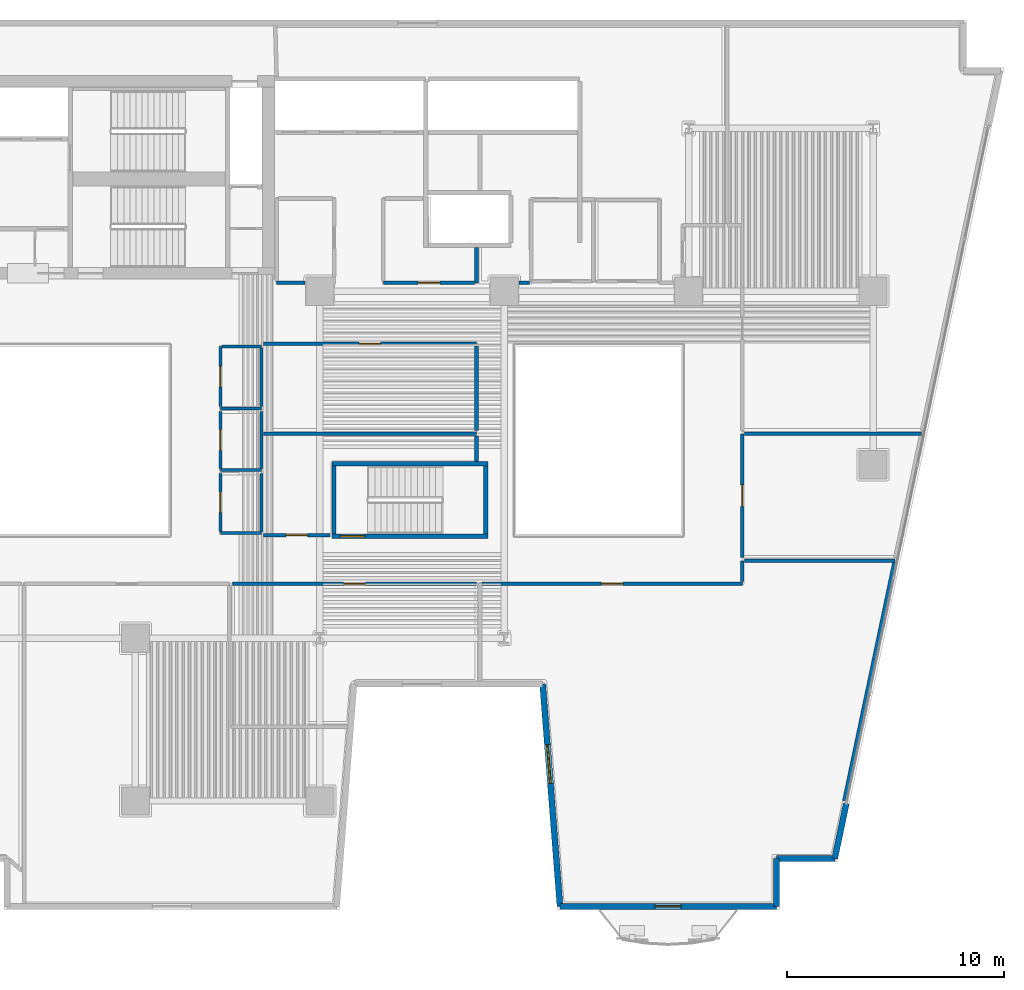
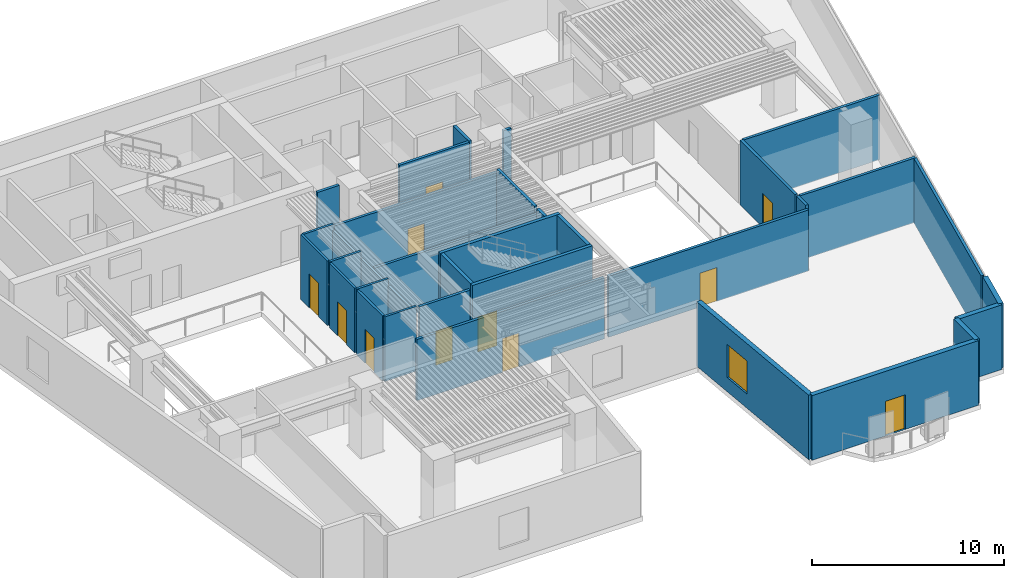
# One storey, part 4 of 12: 35 walls, 11 doors, 1 window, 12 openings.
"""IFC4 building model written with IfcOpenShell, lengths in metres."""

from ifc_helpers import new_model, si_unit, direction, frame, frame_2d, origin, place, context, subcontext, project, spatial, rectangle, extrude, material, layer, layer_set, type_object, element, fill, save


model = new_model("IFC4")

# Units and contexts
model_context = context("Model", 3, precision=1e-05, world=origin(), true_north=direction((0.0, 1.0)))
body_context = subcontext(model_context, "Body", "Model", "MODEL_VIEW")
ifc_project = project(units=[si_unit("LENGTHUNIT", "METRE"), si_unit("AREAUNIT", "SQUARE_METRE"), si_unit("VOLUMEUNIT", "CUBIC_METRE"), si_unit("PLANEANGLEUNIT", "RADIAN"), si_unit("MASSUNIT", "GRAM", prefix="KILO")], contexts=[model_context])

# Site, building, storey
site_placement = place(None, origin())
site = spatial("IfcSite", under=ifc_project, at=site_placement, CompositionType="ELEMENT")
building_placement = place(site_placement, origin())
building = spatial("IfcBuilding", under=site, at=building_placement, Name="Caeloran Harvest Quay", CompositionType="ELEMENT")
storey_placement = place(building_placement, frame((0.0, 0.0, 71.0)))
storey = spatial("IfcBuildingStorey", under=building, at=storey_placement, Name="L16", CompositionType="ELEMENT", Elevation=71.0)

# Walls
ifc_material_1 = material(Name="Precast concrete C50/60", Category="concrete")
ifc_layer_1 = layer(ifc_material_1, 0.280029296875, Name="Precast concrete C50/60")
ifc_layer_set_1 = layer_set([ifc_layer_1], Name="Precast concrete C50/60")
wall_type_1 = type_object("IfcWallType", Name="ENV-WALL-EW-280", PredefinedType="STANDARD", material=ifc_layer_set_1)
wall_1_placement = place(storey_placement, frame((49.77001953125, 7.384521484375, 0.0), z_axis=(0.0, 0.0, 1.0), x_axis=(-0.205551409765, -0.978646319128, 0.0)))
element("IfcWall", 1, at=wall_1_placement, inside=storey, type_object=wall_type_1, Name="L16 Exterior Facade Corner Pier Wall 9B", PredefinedType="STANDARD", context=body_context, shape_type="SweptSolid", body=[
    extrude(rectangle(XDim=2.599853515625, YDim=0.280029296875, at=frame_2d((1.2998046875, 0.0))), origin(), (0.0, 0.0, 1.0), 4.10009765625),
])
wall_2_placement = place(storey_placement, frame((49.235595703125, 4.840087890625, 0.0), z_axis=(0.0, 0.0, 1.0), x_axis=(-1.0, 0.0, 0.0)))
element("IfcWall", 2, at=wall_2_placement, inside=storey, type_object=wall_type_1, Name="L16 Exterior Precast Concrete Facade Wall 10", PredefinedType="STANDARD", context=body_context, shape_type="SweptSolid", body=[
    extrude(rectangle(XDim=2.6884765625, YDim=0.280029296875, at=frame_2d((1.34423828125, 0.0))), origin(), (0.0, 0.0, 1.0), 4.10009765625),
])
wall_3_placement = place(storey_placement, frame((46.547119140625, 4.840087890625, 0.0), z_axis=(0.0, 0.0, 1.0), x_axis=(0.0, -1.0, 0.0)))
element("IfcWall", 3, at=wall_3_placement, inside=storey, type_object=wall_type_1, Name="L16 Exterior Precast Concrete Facade Wall 11", PredefinedType="STANDARD", context=body_context, shape_type="SweptSolid", body=[
    extrude(rectangle(XDim=2.2001953125, YDim=0.280029296875, at=frame_2d((1.10009765625, 0.0))), origin(), (0.0, 0.0, 1.0), 4.10009765625),
])

# Wall, opening, door
wall_4_placement = place(storey_placement, frame((46.547119140625, 2.639892578125, 0.0), z_axis=(0.0, 0.0, 1.0), x_axis=(-1.0, 0.0, 0.0)))
wall_4 = element("IfcWall", 4, at=wall_4_placement, inside=storey, type_object=wall_type_1, Name="L16 Exterior Precast Concrete Facade Wall 12", PredefinedType="STANDARD", context=body_context, shape_type="SweptSolid", body=[
    extrude(rectangle(XDim=9.97705078125, YDim=0.280029296875, at=frame_2d((4.988525390625, 0.0))), origin(), (0.0, 0.0, 1.0), 4.10009765625),
])
opening_1_placement = place(wall_4_placement, frame((4.387939453125, 0.0, 0.0)))
opening_1 = element("IfcOpeningElement", 5, at=opening_1_placement, cuts=wall_4, Name="Opening BD-01", PredefinedType="OPENING", context=body_context, shape_type="SweptSolid", body=[
    extrude(rectangle(XDim=1.199951171875, YDim=2.199951171875, at=frame_2d((0.60009765625, 1.10009765625))), frame((0.0, 0.14990234375, 0.0), z_axis=(0.0, -1.0, 0.0), x_axis=(1.0, 0.0, 0.0)), (0.0, 0.0, 1.0), 0.300048828125),
])
ifc_material_2 = material(Name="Thermally Broken Powder-Coated Aluminium and Safety Glass", Category="aluminium")
door_type_1 = type_object("IfcDoorType", Name="EXTDOOR-BD-01", OperationType="NOTDEFINED", PredefinedType="DOOR", material=ifc_material_2)
door_1_placement = place(opening_1_placement, origin())
door_1 = element("IfcDoor", 6, at=door_1_placement, inside=storey, type_object=door_type_1, Name="L16 Planted Balcony Glazed Access Door", OperationType="SINGLE_SWING_LEFT", OverallHeight=2.199951171875, OverallWidth=1.199951171875, PredefinedType="DOOR", context=body_context, shape_type="SweptSolid", body=[
    extrude(rectangle(XDim=1.199951171875, YDim=2.199951171875, at=frame_2d((0.60009765625, 1.10009765625))), frame((0.0, 0.02490234375, 0.0), z_axis=(0.0, -1.0, 0.0), x_axis=(1.0, 0.0, 0.0)), (0.0, 0.0, 1.0), 0.050048828125),
])
fill(opening_1, door_1)

# Wall, opening, window
wall_5_placement = place(storey_placement, frame((36.570068359375, 2.639892578125, 0.0), z_axis=(0.0, 0.0, 1.0), x_axis=(-0.077816860153, 0.996967670627, 0.0)))
wall_5 = element("IfcWall", 7, at=wall_5_placement, inside=storey, type_object=wall_type_1, Name="L16 Exterior Precast Concrete Facade Wall 13", PredefinedType="STANDARD", context=body_context, shape_type="SweptSolid", body=[
    extrude(rectangle(XDim=10.28125, YDim=0.280029296875, at=frame_2d((5.140625, 0.0))), origin(), (0.0, 0.0, 1.0), 4.10009765625),
])
opening_2_placement = place(wall_5_placement, frame((5.679931640625, 0.0, 0.89990234375)))
opening_2 = element("IfcOpeningElement", 8, at=opening_2_placement, cuts=wall_5, Name="Opening W-01", PredefinedType="OPENING", context=body_context, shape_type="SweptSolid", body=[
    extrude(rectangle(XDim=1.800048828125, YDim=2.10009765625, at=frame_2d((0.89990234375, 1.050048828125))), frame((0.0, 0.14990234375, 0.0), z_axis=(0.0, -1.0, 0.0), x_axis=(1.0, 0.0, 0.0)), (0.0, 0.0, 1.0), 0.300048828125),
])
ifc_material_3 = material(Name="Aluminium-Framed Low-E Laminated Glass", Category="aluminium")
window_type = type_object("IfcWindowType", Name="WIN-W-01", PartitioningType="SINGLE_PANEL", PredefinedType="WINDOW", material=ifc_material_3)
window_placement = place(opening_2_placement, origin())
window = element("IfcWindow", 9, at=window_placement, inside=storey, type_object=window_type, Name="L16 Facade Punched Window W-01", OverallHeight=2.10009765625, OverallWidth=1.800048828125, PartitioningType="SINGLE_PANEL", PredefinedType="WINDOW", context=body_context, shape_type="SweptSolid", body=[
    extrude(rectangle(XDim=1.800048828125, YDim=2.10009765625, at=frame_2d((0.89990234375, 1.050048828125))), frame((0.0, 0.030029296875, 0.0), z_axis=(0.0, -1.0, 0.0), x_axis=(1.0, 0.0, 0.0)), (0.0, 0.0, 1.0), 0.06005859375),
])
fill(opening_2, window)

# Wall
ifc_material_4 = material(Name="Moisture-Resistant Cement-Board Sanitary Partition", Category="gypsum")
ifc_layer_2 = layer(ifc_material_4, 0.139892578125, Name="Moisture-Resistant Cement-Board Sanitary Partition")
ifc_layer_set_2 = layer_set([ifc_layer_2], Name="Moisture-Resistant Cement-Board Sanitary Partition")
wall_type_2 = type_object("IfcWallType", Name="INT-WALL-PW-140", PredefinedType="PARTITIONING", material=ifc_layer_set_2)
wall_6_placement = place(storey_placement, frame((22.800048828125, 25.60009765625, 0.0), z_axis=(0.0, 0.0, 1.0), x_axis=(-1.0, 0.0, 0.0)))
element("IfcWall", 10, at=wall_6_placement, inside=storey, type_object=wall_type_2, Name="L16 Male Washroom WC Partition Wall", PredefinedType="PARTITIONING", context=body_context, shape_type="SweptSolid", body=[
    extrude(rectangle(XDim=1.89013671875, YDim=0.139892578125, at=frame_2d((0.945068359375, 0.0))), origin(), (0.0, 0.0, 1.0), 4.10009765625),
])

# Wall, opening, door
wall_7_placement = place(storey_placement, frame((20.909912109375, 25.675048828125, 0.0), z_axis=(0.0, 0.0, 1.0), x_axis=(0.0, 1.0, 0.0)))
wall_7 = element("IfcWall", 11, at=wall_7_placement, inside=storey, type_object=wall_type_2, Name="L16 Male Washroom WC Partition Wall", PredefinedType="PARTITIONING", context=body_context, shape_type="SweptSolid", body=[
    extrude(rectangle(XDim=2.77490234375, YDim=0.139892578125, at=frame_2d((1.387451171875, 0.0))), origin(), (0.0, 0.0, 1.0), 4.10009765625),
])
opening_3_placement = place(wall_7_placement, frame((0.91259765625, 0.0, 0.0)))
opening_3 = element("IfcOpeningElement", 12, at=opening_3_placement, cuts=wall_7, Name="Opening WC-01", PredefinedType="OPENING", context=body_context, shape_type="SweptSolid", body=[
    extrude(rectangle(XDim=0.949951171875, YDim=2.14990234375, at=frame_2d((0.47509765625, 1.074951171875))), frame((0.0, 0.080078125, 0.0), z_axis=(0.0, -1.0, 0.0), x_axis=(1.0, 0.0, 0.0)), (0.0, 0.0, 1.0), 0.159912109375),
])
ifc_material_5 = material(Name="High-Pressure Laminate Moisture-Resistant Timber", Category="wood")
door_type_2 = type_object("IfcDoorType", Name="INTDOOR-WC-01", OperationType="NOTDEFINED", PredefinedType="DOOR", material=ifc_material_5)
door_2_placement = place(opening_3_placement, origin())
door_2 = element("IfcDoor", 13, at=door_2_placement, inside=storey, type_object=door_type_2, Name="L16 Male Washroom WC Access Door", OperationType="SINGLE_SWING_RIGHT", OverallHeight=2.14990234375, OverallWidth=0.949951171875, PredefinedType="DOOR", context=body_context, shape_type="SweptSolid", body=[
    extrude(rectangle(XDim=0.949951171875, YDim=2.14990234375, at=frame_2d((0.47509765625, 1.074951171875))), frame((0.0, 0.02490234375, 0.0), z_axis=(0.0, -1.0, 0.0), x_axis=(1.0, 0.0, 0.0)), (0.0, 0.0, 1.0), 0.050048828125),
])
fill(opening_3, door_2)

# Walls
wall_8_placement = place(storey_placement, frame((20.985107421875, 28.449951171875, 0.0), z_axis=(0.0, 0.0, 1.0), x_axis=(1.0, 0.0, 0.0)))
element("IfcWall", 14, at=wall_8_placement, inside=storey, type_object=wall_type_2, Name="L16 Male Washroom WC Partition Wall", PredefinedType="PARTITIONING", context=body_context, shape_type="SweptSolid", body=[
    extrude(rectangle(XDim=1.81494140625, YDim=0.139892578125, at=frame_2d((0.907470703125, 0.0))), origin(), (0.0, 0.0, 1.0), 4.10009765625),
])
wall_9_placement = place(storey_placement, frame((22.800048828125, 28.375, 0.0), z_axis=(0.0, 0.0, 1.0), x_axis=(0.0, -1.0, 0.0)))
element("IfcWall", 15, at=wall_9_placement, inside=storey, type_object=wall_type_2, Name="L16 Male Washroom WC Partition Wall", PredefinedType="PARTITIONING", context=body_context, shape_type="SweptSolid", body=[
    extrude(rectangle(XDim=2.699951171875, YDim=0.139892578125, at=frame_2d((1.35009765625, 0.0))), origin(), (0.0, 0.0, 1.0), 3.72509765625),
])
wall_10_placement = place(storey_placement, frame((22.800048828125, 22.75, 0.0), z_axis=(0.0, 0.0, 1.0), x_axis=(-1.0, 0.0, 0.0)))
element("IfcWall", 16, at=wall_10_placement, inside=storey, type_object=wall_type_2, Name="L16 Female Washroom WC Partition Wall", PredefinedType="PARTITIONING", context=body_context, shape_type="SweptSolid", body=[
    extrude(rectangle(XDim=1.89013671875, YDim=0.139892578125, at=frame_2d((0.945068359375, 0.0))), origin(), (0.0, 0.0, 1.0), 4.10009765625),
])

# Wall, opening, door
wall_11_placement = place(storey_placement, frame((20.909912109375, 22.824951171875, 0.0), z_axis=(0.0, 0.0, 1.0), x_axis=(0.0, 1.0, 0.0)))
wall_11 = element("IfcWall", 17, at=wall_11_placement, inside=storey, type_object=wall_type_2, Name="L16 Female Washroom WC Partition Wall", PredefinedType="PARTITIONING", context=body_context, shape_type="SweptSolid", body=[
    extrude(rectangle(XDim=2.625, YDim=0.139892578125, at=frame_2d((1.3125, 0.0))), origin(), (0.0, 0.0, 1.0), 4.10009765625),
])
opening_4_placement = place(wall_11_placement, frame((0.83740234375, 0.0, 0.0)))
opening_4 = element("IfcOpeningElement", 18, at=opening_4_placement, cuts=wall_11, Name="Opening WC-01", PredefinedType="OPENING", context=body_context, shape_type="SweptSolid", body=[
    extrude(rectangle(XDim=0.949951171875, YDim=2.14990234375, at=frame_2d((0.47509765625, 1.074951171875))), frame((0.0, 0.080078125, 0.0), z_axis=(0.0, -1.0, 0.0), x_axis=(1.0, 0.0, 0.0)), (0.0, 0.0, 1.0), 0.159912109375),
])
door_3_placement = place(opening_4_placement, origin())
door_3 = element("IfcDoor", 19, at=door_3_placement, inside=storey, type_object=door_type_2, Name="L16 Female Washroom WC Access Door", OperationType="SINGLE_SWING_LEFT", OverallHeight=2.14990234375, OverallWidth=0.949951171875, PredefinedType="DOOR", context=body_context, shape_type="SweptSolid", body=[
    extrude(rectangle(XDim=0.949951171875, YDim=2.14990234375, at=frame_2d((0.47509765625, 1.074951171875))), frame((0.0, 0.02490234375, 0.0), z_axis=(0.0, -1.0, 0.0), x_axis=(1.0, 0.0, 0.0)), (0.0, 0.0, 1.0), 0.050048828125),
])
fill(opening_4, door_3)

# Walls
wall_12_placement = place(storey_placement, frame((22.800048828125, 25.449951171875, 0.0), z_axis=(0.0, 0.0, 1.0), x_axis=(0.0, -1.0, 0.0)))
element("IfcWall", 20, at=wall_12_placement, inside=storey, type_object=wall_type_2, Name="L16 Female Washroom WC Partition Wall", PredefinedType="PARTITIONING", context=body_context, shape_type="SweptSolid", body=[
    extrude(rectangle(XDim=2.625, YDim=0.139892578125, at=frame_2d((1.3125, 0.0))), origin(), (0.0, 0.0, 1.0), 3.72509765625),
])
wall_13_placement = place(storey_placement, frame((22.800048828125, 19.85009765625, 0.0), z_axis=(0.0, 0.0, 1.0), x_axis=(-1.0, 0.0, 0.0)))
element("IfcWall", 21, at=wall_13_placement, inside=storey, type_object=wall_type_2, Name="L16 Accessible Unisex Washroom WC Partition Wall", PredefinedType="PARTITIONING", context=body_context, shape_type="SweptSolid", body=[
    extrude(rectangle(XDim=1.89013671875, YDim=0.139892578125, at=frame_2d((0.945068359375, 0.0))), origin(), (0.0, 0.0, 1.0), 4.10009765625),
])

# Wall, opening, door
wall_14_placement = place(storey_placement, frame((20.909912109375, 19.925048828125, 0.0), z_axis=(0.0, 0.0, 1.0), x_axis=(0.0, 1.0, 0.0)))
wall_14 = element("IfcWall", 22, at=wall_14_placement, inside=storey, type_object=wall_type_2, Name="L16 Accessible Unisex Washroom WC Partition Wall", PredefinedType="PARTITIONING", context=body_context, shape_type="SweptSolid", body=[
    extrude(rectangle(XDim=2.675048828125, YDim=0.139892578125, at=frame_2d((1.33740234375, 0.0))), origin(), (0.0, 0.0, 1.0), 4.10009765625),
])
opening_5_placement = place(wall_14_placement, frame((0.862548828125, 0.0, 0.0)))
opening_5 = element("IfcOpeningElement", 23, at=opening_5_placement, cuts=wall_14, Name="Opening WC-01", PredefinedType="OPENING", context=body_context, shape_type="SweptSolid", body=[
    extrude(rectangle(XDim=0.949951171875, YDim=2.14990234375, at=frame_2d((0.47509765625, 1.074951171875))), frame((0.0, 0.080078125, 0.0), z_axis=(0.0, -1.0, 0.0), x_axis=(1.0, 0.0, 0.0)), (0.0, 0.0, 1.0), 0.159912109375),
])
door_4_placement = place(opening_5_placement, origin())
door_4 = element("IfcDoor", 24, at=door_4_placement, inside=storey, type_object=door_type_2, Name="L16 Accessible Unisex Washroom WC Access Door", OperationType="SINGLE_SWING_RIGHT", OverallHeight=2.14990234375, OverallWidth=0.949951171875, PredefinedType="DOOR", context=body_context, shape_type="SweptSolid", body=[
    extrude(rectangle(XDim=0.949951171875, YDim=2.14990234375, at=frame_2d((0.47509765625, 1.074951171875))), frame((0.0, 0.02490234375, 0.0), z_axis=(0.0, -1.0, 0.0), x_axis=(1.0, 0.0, 0.0)), (0.0, 0.0, 1.0), 0.050048828125),
])
fill(opening_5, door_4)

# Wall
wall_15_placement = place(storey_placement, frame((22.800048828125, 22.60009765625, 0.0), z_axis=(0.0, 0.0, 1.0), x_axis=(0.0, -1.0, 0.0)))
element("IfcWall", 25, at=wall_15_placement, inside=storey, type_object=wall_type_2, Name="L16 Accessible Unisex Washroom WC Partition Wall", PredefinedType="PARTITIONING", context=body_context, shape_type="SweptSolid", body=[
    extrude(rectangle(XDim=2.675048828125, YDim=0.139892578125, at=frame_2d((1.33740234375, 0.0))), origin(), (0.0, 0.0, 1.0), 3.72509765625),
])

# Wall, opening, door
ifc_material_6 = material(Name="Autoclaved Aerated Concrete Blockwork", Category="masonry")
ifc_layer_3 = layer(ifc_material_6, 0.1650390625, Name="Autoclaved Aerated Concrete Blockwork")
ifc_layer_set_3 = layer_set([ifc_layer_3], Name="Autoclaved Aerated Concrete Blockwork")
wall_type_3 = type_object("IfcWallType", Name="INT-WALL-PW-165", PredefinedType="PARTITIONING", material=ifc_layer_set_3)
wall_16_placement = place(storey_placement, frame((32.967529296875, 17.52001953125, 0.0), z_axis=(0.0, 0.0, 1.0), x_axis=(1.0, 0.0, 0.0)))
wall_16 = element("IfcWall", 26, at=wall_16_placement, inside=storey, type_object=wall_type_3, Name="Medicinal Plant Aeroponic Room Partition Wall", PredefinedType="PARTITIONING", context=body_context, shape_type="SweptSolid", body=[
    extrude(rectangle(XDim=12.012451171875, YDim=0.1650390625, at=frame_2d((6.00634765625, 0.0))), origin(), (0.0, 0.0, 1.0), 3.885009765625),
])
opening_6_placement = place(wall_16_placement, frame((5.506103515625, 0.0, 0.0)))
opening_6 = element("IfcOpeningElement", 27, at=opening_6_placement, cuts=wall_16, Name="Opening ID-01", PredefinedType="OPENING", context=body_context, shape_type="SweptSolid", body=[
    extrude(rectangle(XDim=1.0, YDim=2.14990234375, at=frame_2d((0.5, 1.074951171875))), frame((0.0, 0.092529296875, 0.0), z_axis=(0.0, -1.0, 0.0), x_axis=(1.0, 0.0, 0.0)), (0.0, 0.0, 1.0), 0.18505859375),
])
ifc_material_7 = material(Name="FSC Solid-Core Ash Timber and Acoustic Seal", Category="wood")
door_type_3 = type_object("IfcDoorType", Name="INTDOOR-ID-01", OperationType="NOTDEFINED", PredefinedType="DOOR", material=ifc_material_7)
door_5_placement = place(opening_6_placement, origin())
door_5 = element("IfcDoor", 28, at=door_5_placement, inside=storey, type_object=door_type_3, Name="Medicinal Plant Aeroponic Room Access Door", OperationType="SINGLE_SWING_RIGHT", OverallHeight=2.14990234375, OverallWidth=1.0, PredefinedType="DOOR", context=body_context, shape_type="SweptSolid", body=[
    extrude(rectangle(XDim=1.0, YDim=2.14990234375, at=frame_2d((0.5, 1.074951171875))), frame((0.0, 0.02490234375, 0.0), z_axis=(0.0, -1.0, 0.0), x_axis=(1.0, 0.0, 0.0)), (0.0, 0.0, 1.0), 0.050048828125),
])
fill(opening_6, door_5)

# Walls
wall_17_placement = place(storey_placement, frame((44.97998046875, 17.607421875, 0.0), z_axis=(0.0, 0.0, 1.0), x_axis=(0.0, 1.0, 0.0)))
element("IfcWall", 29, at=wall_17_placement, inside=storey, type_object=wall_type_3, Name="Medicinal Plant Aeroponic Room Partition Wall", PredefinedType="PARTITIONING", context=body_context, shape_type="SweptSolid", body=[
    extrude(rectangle(XDim=0.962646484375, YDim=0.1650390625, at=frame_2d((0.4814453125, 0.0))), origin(), (0.0, 0.0, 1.0), 4.10009765625),
])
wall_18_placement = place(storey_placement, frame((45.0673828125, 18.570068359375, 0.0), z_axis=(0.0, 0.0, 1.0), x_axis=(1.0, 0.0, 0.0)))
element("IfcWall", 30, at=wall_18_placement, inside=storey, type_object=wall_type_3, Name="Medicinal Plant Aeroponic Room Partition Wall", PredefinedType="PARTITIONING", context=body_context, shape_type="SweptSolid", body=[
    extrude(rectangle(XDim=6.945068359375, YDim=0.1650390625, at=frame_2d((3.47265625, 0.0))), origin(), (0.0, 0.0, 1.0), 4.10009765625),
])
wall_19_placement = place(storey_placement, frame((51.978515625, 18.482421875, 0.0), z_axis=(0.0, 0.0, 1.0), x_axis=(-0.2055553709, -0.978645487137, 0.0)))
element("IfcWall", 31, at=wall_19_placement, inside=storey, type_object=wall_type_3, Name="Medicinal Plant Aeroponic Room Partition Wall", PredefinedType="PARTITIONING", context=body_context, shape_type="SweptSolid", body=[
    extrude(rectangle(XDim=11.22021484375, YDim=0.1650390625, at=frame_2d((5.610107421875, 0.0))), origin(), (0.0, 0.0, 1.0), 4.10009765625),
])

# Wall, opening, door
wall_20_placement = place(storey_placement, frame((21.47998046875, 17.52001953125, 0.0), z_axis=(0.0, 0.0, 1.0), x_axis=(1.0, 0.0, 0.0)))
wall_20 = element("IfcWall", 32, at=wall_20_placement, inside=storey, type_object=wall_type_3, Name="Water Chemistry QA Laboratory Partition Wall", PredefinedType="PARTITIONING", context=body_context, shape_type="SweptSolid", body=[
    extrude(rectangle(XDim=11.239990234375, YDim=0.1650390625, at=frame_2d((5.6201171875, 0.0))), origin(), (0.0, 0.0, 1.0), 3.885009765625),
])
opening_7_placement = place(wall_20_placement, frame((5.1201171875, 0.0, 0.0)))
opening_7 = element("IfcOpeningElement", 33, at=opening_7_placement, cuts=wall_20, Name="Opening ID-01", PredefinedType="OPENING", context=body_context, shape_type="SweptSolid", body=[
    extrude(rectangle(XDim=1.0, YDim=2.14990234375, at=frame_2d((0.5, 1.074951171875))), frame((0.0, 0.092529296875, 0.0), z_axis=(0.0, -1.0, 0.0), x_axis=(1.0, 0.0, 0.0)), (0.0, 0.0, 1.0), 0.18505859375),
])
door_6_placement = place(opening_7_placement, origin())
door_6 = element("IfcDoor", 34, at=door_6_placement, inside=storey, type_object=door_type_3, Name="Water Chemistry QA Laboratory Access Door", OperationType="SINGLE_SWING_RIGHT", OverallHeight=2.14990234375, OverallWidth=1.0, PredefinedType="DOOR", context=body_context, shape_type="SweptSolid", body=[
    extrude(rectangle(XDim=1.0, YDim=2.14990234375, at=frame_2d((0.5, 1.074951171875))), frame((0.0, 0.02490234375, 0.0), z_axis=(0.0, -1.0, 0.0), x_axis=(1.0, 0.0, 0.0)), (0.0, 0.0, 1.0), 0.050048828125),
])
fill(opening_7, door_6)

wall_21_placement = place(storey_placement, frame((44.97998046875, 18.72998046875, 0.0), z_axis=(0.0, 0.0, 1.0), x_axis=(0.0, 1.0, 0.0)))
wall_21 = element("IfcWall", 35, at=wall_21_placement, inside=storey, type_object=wall_type_3, Name="Packaging Crate Laboratory Partition Wall", PredefinedType="PARTITIONING", context=body_context, shape_type="SweptSolid", body=[
    extrude(rectangle(XDim=5.68994140625, YDim=0.1650390625, at=frame_2d((2.844970703125, 0.0))), origin(), (0.0, 0.0, 1.0), 4.10009765625),
])
opening_8_placement = place(wall_21_placement, frame((2.344970703125, 0.0, 0.0)))
opening_8 = element("IfcOpeningElement", 36, at=opening_8_placement, cuts=wall_21, Name="Opening ID-01", PredefinedType="OPENING", context=body_context, shape_type="SweptSolid", body=[
    extrude(rectangle(XDim=1.0, YDim=2.14990234375, at=frame_2d((0.5, 1.074951171875))), frame((0.0, 0.092529296875, 0.0), z_axis=(0.0, -1.0, 0.0), x_axis=(1.0, 0.0, 0.0)), (0.0, 0.0, 1.0), 0.18505859375),
])
door_7_placement = place(opening_8_placement, origin())
door_7 = element("IfcDoor", 37, at=door_7_placement, inside=storey, type_object=door_type_3, Name="Packaging Crate Laboratory Access Door", OperationType="SINGLE_SWING_LEFT", OverallHeight=2.14990234375, OverallWidth=1.0, PredefinedType="DOOR", context=body_context, shape_type="SweptSolid", body=[
    extrude(rectangle(XDim=1.0, YDim=2.14990234375, at=frame_2d((0.5, 1.074951171875))), frame((0.0, 0.02490234375, 0.0), z_axis=(0.0, -1.0, 0.0), x_axis=(1.0, 0.0, 0.0)), (0.0, 0.0, 1.0), 0.050048828125),
])
fill(opening_8, door_7)

# Wall
wall_22_placement = place(storey_placement, frame((45.0673828125, 24.419921875, 0.0), z_axis=(0.0, 0.0, 1.0), x_axis=(1.0, 0.0, 0.0)))
element("IfcWall", 38, at=wall_22_placement, inside=storey, type_object=wall_type_3, Name="Packaging Crate Laboratory Partition Wall", PredefinedType="PARTITIONING", context=body_context, shape_type="SweptSolid", body=[
    extrude(rectangle(XDim=8.174072265625, YDim=0.1650390625, at=frame_2d((4.0869140625, 0.0))), origin(), (0.0, 0.0, 1.0), 4.10009765625),
])

# Wall, opening, door
wall_23_placement = place(storey_placement, frame((25.95556640625, 19.75, 0.0), z_axis=(0.0, 0.0, 1.0), x_axis=(-1.0, 0.0, 0.0)))
wall_23 = element("IfcWall", 39, at=wall_23_placement, inside=storey, type_object=wall_type_3, Name="Compliance Office Partition Wall", PredefinedType="PARTITIONING", context=body_context, shape_type="SweptSolid", body=[
    extrude(rectangle(XDim=3.045654296875, YDim=0.1650390625, at=frame_2d((1.52294921875, 0.0))), origin(), (0.0, 0.0, 1.0), 4.10009765625),
])
opening_9_placement = place(wall_23_placement, frame((1.022705078125, 0.0, 0.0)))
opening_9 = element("IfcOpeningElement", 40, at=opening_9_placement, cuts=wall_23, Name="Opening ID-01", PredefinedType="OPENING", context=body_context, shape_type="SweptSolid", body=[
    extrude(rectangle(XDim=1.0, YDim=2.14990234375, at=frame_2d((0.5, 1.074951171875))), frame((0.0, 0.092529296875, 0.0), z_axis=(0.0, -1.0, 0.0), x_axis=(1.0, 0.0, 0.0)), (0.0, 0.0, 1.0), 0.18505859375),
])
door_8_placement = place(opening_9_placement, origin())
door_8 = element("IfcDoor", 41, at=door_8_placement, inside=storey, type_object=door_type_3, Name="Compliance Office Access Door", OperationType="SINGLE_SWING_RIGHT", OverallHeight=2.14990234375, OverallWidth=1.0, PredefinedType="DOOR", context=body_context, shape_type="SweptSolid", body=[
    extrude(rectangle(XDim=1.0, YDim=2.14990234375, at=frame_2d((0.5, 1.074951171875))), frame((0.0, 0.02490234375, 0.0), z_axis=(0.0, -1.0, 0.0), x_axis=(1.0, 0.0, 0.0)), (0.0, 0.0, 1.0), 0.050048828125),
])
fill(opening_9, door_8)

# Walls
wall_24_placement = place(storey_placement, frame((22.909912109375, 24.419921875, 0.0), z_axis=(0.0, 0.0, 1.0), x_axis=(1.0, 0.0, 0.0)))
element("IfcWall", 42, at=wall_24_placement, inside=storey, type_object=wall_type_3, Name="Compliance Office Partition Wall", PredefinedType="PARTITIONING", context=body_context, shape_type="SweptSolid", body=[
    extrude(rectangle(XDim=9.81005859375, YDim=0.1650390625, at=frame_2d((4.905029296875, 0.0))), origin(), (0.0, 0.0, 1.0), 3.72509765625),
])
wall_25_placement = place(storey_placement, frame((32.719970703125, 24.33251953125, 0.0), z_axis=(0.0, 0.0, 1.0), x_axis=(0.0, -1.0, 0.0)))
element("IfcWall", 43, at=wall_25_placement, inside=storey, type_object=wall_type_3, Name="Compliance Office Partition Wall", PredefinedType="PARTITIONING", context=body_context, shape_type="SweptSolid", body=[
    extrude(rectangle(XDim=1.177490234375, YDim=0.1650390625, at=frame_2d((0.5888671875, 0.0))), origin(), (0.0, 0.0, 1.0), 4.10009765625),
])

# Wall, opening, door
wall_26_placement = place(storey_placement, frame((22.889892578125, 28.570068359375, 0.0), z_axis=(0.0, 0.0, 1.0), x_axis=(1.0, 0.0, 0.0)))
wall_26 = element("IfcWall", 44, at=wall_26_placement, inside=storey, type_object=wall_type_3, Name="Harvest Briefing Conference Room Partition Wall", PredefinedType="PARTITIONING", context=body_context, shape_type="SweptSolid", body=[
    extrude(rectangle(XDim=9.830078125, YDim=0.1650390625, at=frame_2d((4.9150390625, 0.0))), origin(), (0.0, 0.0, 1.0), 3.885009765625),
])
opening_10_placement = place(wall_26_placement, frame((4.4150390625, 0.0, 0.0)))
opening_10 = element("IfcOpeningElement", 45, at=opening_10_placement, cuts=wall_26, Name="Opening ID-01", PredefinedType="OPENING", context=body_context, shape_type="SweptSolid", body=[
    extrude(rectangle(XDim=1.0, YDim=2.14990234375, at=frame_2d((0.5, 1.074951171875))), frame((0.0, 0.092529296875, 0.0), z_axis=(0.0, -1.0, 0.0), x_axis=(1.0, 0.0, 0.0)), (0.0, 0.0, 1.0), 0.18505859375),
])
door_9_placement = place(opening_10_placement, origin())
door_9 = element("IfcDoor", 46, at=door_9_placement, inside=storey, type_object=door_type_3, Name="Harvest Briefing Conference Room Access Door", OperationType="SINGLE_SWING_LEFT", OverallHeight=2.14990234375, OverallWidth=1.0, PredefinedType="DOOR", context=body_context, shape_type="SweptSolid", body=[
    extrude(rectangle(XDim=1.0, YDim=2.14990234375, at=frame_2d((0.5, 1.074951171875))), frame((0.0, 0.02490234375, 0.0), z_axis=(0.0, -1.0, 0.0), x_axis=(1.0, 0.0, 0.0)), (0.0, 0.0, 1.0), 0.050048828125),
])
fill(opening_10, door_9)

# Walls
wall_27_placement = place(storey_placement, frame((32.719970703125, 28.482421875, 0.0), z_axis=(0.0, 0.0, 1.0), x_axis=(0.0, -1.0, 0.0)))
element("IfcWall", 47, at=wall_27_placement, inside=storey, type_object=wall_type_3, Name="Harvest Briefing Conference Room Partition Wall", PredefinedType="PARTITIONING", context=body_context, shape_type="SweptSolid", body=[
    extrude(rectangle(XDim=3.90234375, YDim=0.1650390625, at=frame_2d((1.951171875, 0.0))), origin(), (0.0, 0.0, 1.0), 4.10009765625),
])
wall_28_placement = place(storey_placement, frame((32.719970703125, 33.014892578125, 0.0), z_axis=(0.0, 0.0, 1.0), x_axis=(0.0, -1.0, 0.0)))
element("IfcWall", 48, at=wall_28_placement, inside=storey, type_object=wall_type_3, Name="Staff Wellness Lounge Partition Wall", PredefinedType="PARTITIONING", context=body_context, shape_type="SweptSolid", body=[
    extrude(rectangle(XDim=1.635009765625, YDim=0.1650390625, at=frame_2d((0.8173828125, 0.0))), origin(), (0.0, 0.0, 1.0), 4.10009765625),
])

# Wall, opening, door
wall_29_placement = place(storey_placement, frame((32.632568359375, 31.3798828125, 0.0), z_axis=(0.0, 0.0, 1.0), x_axis=(-1.0, 0.0, 0.0)))
wall_29 = element("IfcWall", 49, at=wall_29_placement, inside=storey, type_object=wall_type_3, Name="Staff Wellness Lounge Partition Wall", PredefinedType="PARTITIONING", context=body_context, shape_type="SweptSolid", body=[
    extrude(rectangle(XDim=4.20263671875, YDim=0.1650390625, at=frame_2d((2.101318359375, 0.0))), origin(), (0.0, 0.0, 1.0), 4.10009765625),
])
opening_11_placement = place(wall_29_placement, frame((1.601318359375, 0.0, 0.0)))
opening_11 = element("IfcOpeningElement", 50, at=opening_11_placement, cuts=wall_29, Name="Opening ID-01", PredefinedType="OPENING", context=body_context, shape_type="SweptSolid", body=[
    extrude(rectangle(XDim=1.0, YDim=2.14990234375, at=frame_2d((0.5, 1.074951171875))), frame((0.0, 0.092529296875, 0.0), z_axis=(0.0, -1.0, 0.0), x_axis=(1.0, 0.0, 0.0)), (0.0, 0.0, 1.0), 0.18505859375),
])
door_10_placement = place(opening_11_placement, origin())
door_10 = element("IfcDoor", 51, at=door_10_placement, inside=storey, type_object=door_type_3, Name="Staff Wellness Lounge Access Door", OperationType="SINGLE_SWING_RIGHT", OverallHeight=2.14990234375, OverallWidth=1.0, PredefinedType="DOOR", context=body_context, shape_type="SweptSolid", body=[
    extrude(rectangle(XDim=1.0, YDim=2.14990234375, at=frame_2d((0.5, 1.074951171875))), frame((0.0, 0.02490234375, 0.0), z_axis=(0.0, -1.0, 0.0), x_axis=(1.0, 0.0, 0.0)), (0.0, 0.0, 1.0), 0.050048828125),
])
fill(opening_11, door_10)

# Walls
wall_30_placement = place(storey_placement, frame((24.824951171875, 31.3798828125, 0.0), z_axis=(0.0, 0.0, 1.0), x_axis=(-1.0, 0.0, 0.0)))
element("IfcWall", 52, at=wall_30_placement, inside=storey, type_object=wall_type_3, Name="Dwarf Citrus Mezzanine Growing Hall 9 Partition Wall", PredefinedType="PARTITIONING", context=body_context, shape_type="SweptSolid", body=[
    extrude(rectangle(XDim=1.31494140625, YDim=0.1650390625, at=frame_2d((0.657470703125, 0.0))), origin(), (0.0, 0.0, 1.0), 4.10009765625),
])
wall_31_placement = place(storey_placement, frame((35.155517578125, 31.3798828125, 0.0), z_axis=(0.0, 0.0, 1.0), x_axis=(-1.0, 0.0, 0.0)))
element("IfcWall", 53, at=wall_31_placement, inside=storey, type_object=wall_type_3, Name="Photobiology Spectrum Laboratory 11 Partition Wall", PredefinedType="PARTITIONING", context=body_context, shape_type="SweptSolid", body=[
    extrude(rectangle(XDim=0.48046875, YDim=0.1650390625, at=frame_2d((0.240234375, 0.0))), origin(), (0.0, 0.0, 1.0), 4.10009765625),
])

# Wall, opening, door
ifc_material_8 = material(Name="Concrete C60/75", Category="concrete")
ifc_layer_4 = layer(ifc_material_8, 0.199951171875, Name="Concrete C60/75")
ifc_layer_set_4 = layer_set([ifc_layer_4], Name="Concrete C60/75")
wall_type_4 = type_object("IfcWallType", Name="STR-WALL-SW-200", PredefinedType="SHEAR", material=ifc_layer_set_4)
wall_32_placement = place(storey_placement, frame((26.050048828125, 19.699951171875, 0.0), z_axis=(0.0, 0.0, 1.0), x_axis=(1.0, 0.0, 0.0)))
wall_32 = element("IfcWall", 54, at=wall_32_placement, inside=storey, type_object=wall_type_4, Name="L16 Stair ST-W1 S RC Shaft Shear Wall", PredefinedType="SHEAR", context=body_context, shape_type="SweptSolid", body=[
    extrude(rectangle(XDim=7.199951171875, YDim=0.199951171875, at=frame_2d((3.60009765625, 0.0))), origin(), (0.0, 0.0, 1.0), 4.39990234375),
])
opening_12_placement = place(wall_32_placement, frame((0.3798828125, 0.0, 0.0)))
opening_12 = element("IfcOpeningElement", 55, at=opening_12_placement, cuts=wall_32, Name="Opening SD-01", PredefinedType="OPENING", context=body_context, shape_type="SweptSolid", body=[
    extrude(rectangle(XDim=1.14990234375, YDim=2.199951171875, at=frame_2d((0.574951171875, 1.10009765625))), frame((0.0, 0.10986328125, 0.0), z_axis=(0.0, -1.0, 0.0), x_axis=(1.0, 0.0, 0.0)), (0.0, 0.0, 1.0), 0.219970703125),
])
ifc_material_9 = material(Name="Steel", Category="steel")
door_type_4 = type_object("IfcDoorType", Name="INTDOOR-SD-01", OperationType="NOTDEFINED", PredefinedType="DOOR", material=ifc_material_9)
door_11_placement = place(opening_12_placement, origin())
door_11 = element("IfcDoor", 56, at=door_11_placement, inside=storey, type_object=door_type_4, Name="L16 Protected Exit Stair ST-W1 Fire Door", OperationType="SINGLE_SWING_LEFT", OverallHeight=2.199951171875, OverallWidth=1.14990234375, PredefinedType="DOOR", context=body_context, shape_type="SweptSolid", body=[
    extrude(rectangle(XDim=1.14990234375, YDim=2.199951171875, at=frame_2d((0.574951171875, 1.10009765625))), frame((0.0, 0.02490234375, 0.0), z_axis=(0.0, -1.0, 0.0), x_axis=(1.0, 0.0, 0.0)), (0.0, 0.0, 1.0), 0.050048828125),
])
fill(opening_12, door_11)

# Walls
wall_33_placement = place(storey_placement, frame((26.050048828125, 23.050048828125, 0.0), z_axis=(0.0, 0.0, 1.0), x_axis=(1.0, 0.0, 0.0)))
element("IfcWall", 57, at=wall_33_placement, inside=storey, type_object=wall_type_4, Name="L16 Stair ST-W1 N RC Shaft Shear Wall", PredefinedType="SHEAR", context=body_context, shape_type="SweptSolid", body=[
    extrude(rectangle(XDim=7.199951171875, YDim=0.199951171875, at=frame_2d((3.60009765625, 0.0))), origin(), (0.0, 0.0, 1.0), 4.39990234375),
])
for number, where, z_axis, x_axis, name in (
    (58, (26.14990234375, 19.81005859375, 0.0), (0.0, 0.0, 1.0), (0.0, 1.0, 0.0), "L16 Stair ST-W1 W RC Shaft Shear Wall"),
    (59, (33.14990234375, 19.81005859375, 0.0), (0.0, 0.0, 1.0), (0.0, 1.0, 0.0), "L16 Stair ST-W1 E RC Shaft Shear Wall"),
):
    element("IfcWall", number, at=place(storey_placement, frame(where, z_axis=z_axis, x_axis=x_axis)), inside=storey, type_object=wall_type_4, Name=name, PredefinedType="SHEAR", context=body_context, shape_type="SweptSolid", body=[
        extrude(rectangle(XDim=3.1298828125, YDim=0.199951171875, at=frame_2d((1.56494140625, 0.0))), origin(), (0.0, 0.0, 1.0), 4.39990234375),
    ])

save(model, "model.ifc")
